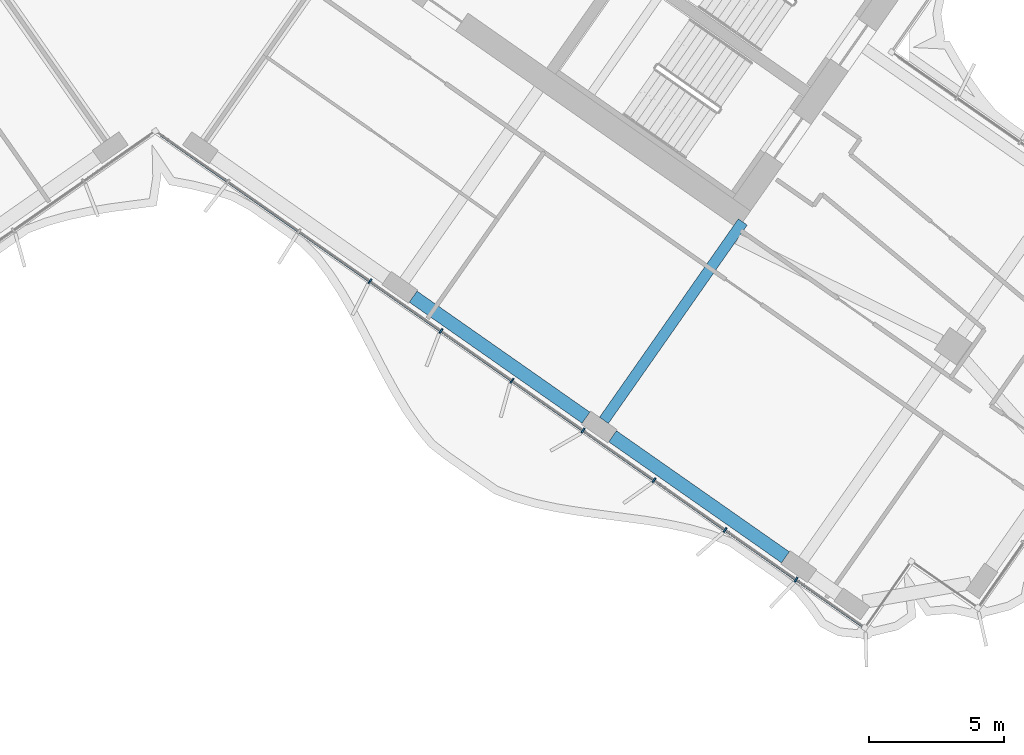
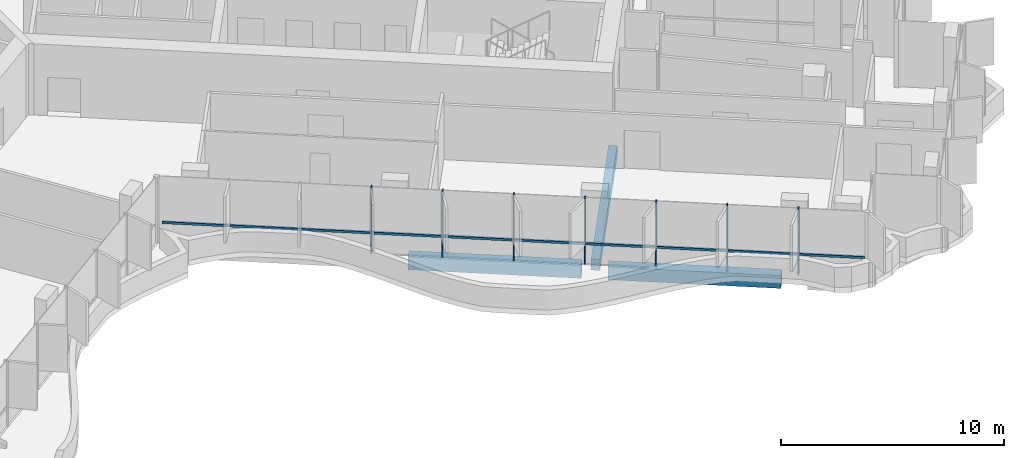
# One storey, part 5 of 21: 8 members, 3 beams, 1 element without a shape of its own.
"""IFC4 building model written with IfcOpenShell, lengths in metres."""

from ifc_helpers import new_model, si_unit, direction, frame, origin, origin_2d, place, context, subcontext, project, spatial, rectangle, extrude, material, material_profile, profile_set, type_object, element, aggregate, save


model = new_model("IFC4")

# Units and contexts
model_context = context("Model", 3, precision=1e-05, world=origin(), true_north=direction((0.0, 1.0)))
body_context = subcontext(model_context, "Body", "Model", "MODEL_VIEW")
ifc_project = project(units=[si_unit("LENGTHUNIT", "METRE"), si_unit("AREAUNIT", "SQUARE_METRE"), si_unit("VOLUMEUNIT", "CUBIC_METRE"), si_unit("PLANEANGLEUNIT", "RADIAN"), si_unit("MASSUNIT", "GRAM", prefix="KILO")], contexts=[model_context])

# Site, building, storey
site_placement = place(None, origin())
site = spatial("IfcSite", under=ifc_project, at=site_placement, CompositionType="ELEMENT")
building_placement = place(site_placement, origin())
building = spatial("IfcBuilding", under=site, at=building_placement, Name="Tel Ilan Convention Tower", CompositionType="ELEMENT")
storey_placement = place(building_placement, frame((0.0, 0.0, 147.60009765625)))
storey = spatial("IfcBuildingStorey", under=building, at=storey_placement, Name="L33", CompositionType="ELEMENT", Elevation=147.60009765625)

# Beams
ifc_material_1 = material(Name="Concrete C40/50", Category="concrete")
ifc_material_profile_1 = material_profile(ifc_material_1, rectangle(XDim=0.39990234375, YDim=0.60009765625, at=origin_2d()), Name="RC 400x600")
ifc_profile_set_1 = profile_set([ifc_material_profile_1], Name="Concrete C40/50")
beam_type_1 = type_object("IfcBeamType", Name="Beam RC 400x600 Concrete C40/50", PredefinedType="BEAM", material=ifc_profile_set_1)
beam_placement = place(storey_placement, frame((16.58203125, -23.391357421875, -0.580078125), z_axis=(0.573584999642, 0.819146048141, 0.0), x_axis=(-0.819146048141, 0.573584999642, 0.0)))
element("IfcBeam", 1, at=beam_placement, inside=storey, type_object=beam_type_1, Name="L33 beam E-E-F3-core", PredefinedType="BEAM", context=body_context, shape_type="SweptSolid", body=[
    extrude(rectangle(XDim=0.39990234375, YDim=0.60009765625, at=origin_2d()), origin(), (0.0, 0.0, 1.0), 8.949951171875),
])
ifc_material_2 = material(Name="Concrete C40/50", Category="concrete")
ifc_material_profile_2 = material_profile(ifc_material_2, rectangle(XDim=0.5, YDim=0.699951171875, at=origin_2d()), Name="RC 500x700")
ifc_profile_set_2 = profile_set([ifc_material_profile_2], Name="Concrete C40/50")
beam_type_2 = type_object("IfcBeamType", Name="Beam RC 500x700 Concrete C40/50", PredefinedType="BEAM", material=ifc_profile_set_2)
for number, where, z_axis, x_axis, name in (
    (2, (9.529052734375, -18.819091796875, -0.630126953125), (0.819153977895, -0.573573674866, 0.0), (0.573573674866, 0.819153977895, 0.0), "L33 beam E-E-F2-E-F3"),
    (3, (16.901611328125, -23.981201171875, -0.630126953125), (0.819153977895, -0.573573674866, 0.0), (0.573573674866, 0.819153977895, 0.0), "L33 beam E-E-F3-E-F4"),
):
    element("IfcBeam", number, at=place(storey_placement, frame(where, z_axis=z_axis, x_axis=x_axis)), inside=storey, type_object=beam_type_2, Name=name, PredefinedType="BEAM", context=body_context, shape_type="SweptSolid", body=[
        extrude(rectangle(XDim=0.5, YDim=0.699951171875, at=origin_2d()), origin(), (0.0, 0.0, 1.0), 7.800048828125),
    ])

# Curtain wall, members
ifc_material_3 = material(Name="Aluminium, bronze anodised", Category="aluminium")
curtain_wall_type = type_object("IfcCurtainWallType", Name="CW4 STICK CURTAIN WALL, OFFICE TINTED GLASS", PredefinedType="NOTDEFINED", material=ifc_material_3)
curtain_wall_placement = place(storey_placement, origin())
curtain_wall = element("IfcCurtainWall", 4, at=curtain_wall_placement, inside=storey, type_object=curtain_wall_type, Name="Curtain wall CW4-27.02", PredefinedType="NOTDEFINED")
ifc_material_4 = material(Name="Aluminium, bronze anodised", Category="aluminium")
ifc_material_profile_3 = material_profile(ifc_material_4, rectangle(XDim=0.06005859375, YDim=0.199951171875, at=origin_2d()), Name="CW MULLION 60x200")
ifc_profile_set_3 = profile_set([ifc_material_profile_3], Name="Aluminium, bronze anodised")
member_type_1 = type_object("IfcMemberType", Name="CW MULLION 60x200", PredefinedType="MULLION", material=ifc_profile_set_3)
member_1_placement = place(storey_placement, frame((7.932861328125, -18.250732421875, 0.0), z_axis=(0.0, 0.0, 1.0), x_axis=(0.819152044289, -0.573576436351, 0.0)))
member_1 = element("IfcMember", 5, at=member_1_placement, type_object=member_type_1, Name="Mullion", PredefinedType="MULLION", context=body_context, shape_type="SweptSolid", body=[
    extrude(rectangle(XDim=0.06005859375, YDim=0.199951171875, at=origin_2d()), origin(), (0.0, 0.0, 1.0), 3.619873046875),
])
member_2_placement = place(storey_placement, frame((10.55810546875, -20.0888671875, 0.0), z_axis=(0.0, 0.0, 1.0), x_axis=(0.819152044289, -0.573576436351, 0.0)))
member_2 = element("IfcMember", 6, at=member_2_placement, type_object=member_type_1, Name="Mullion", PredefinedType="MULLION", context=body_context, shape_type="SweptSolid", body=[
    extrude(rectangle(XDim=0.06005859375, YDim=0.199951171875, at=origin_2d()), origin(), (0.0, 0.0, 1.0), 3.619873046875),
])
member_3_placement = place(storey_placement, frame((13.183349609375, -21.92724609375, 0.0), z_axis=(0.0, 0.0, 1.0), x_axis=(0.819152044289, -0.573576436351, 0.0)))
member_3 = element("IfcMember", 7, at=member_3_placement, type_object=member_type_1, Name="Mullion", PredefinedType="MULLION", context=body_context, shape_type="SweptSolid", body=[
    extrude(rectangle(XDim=0.06005859375, YDim=0.199951171875, at=origin_2d()), origin(), (0.0, 0.0, 1.0), 3.619873046875),
])
member_4_placement = place(storey_placement, frame((15.80859375, -23.765380859375, 0.0), z_axis=(0.0, 0.0, 1.0), x_axis=(0.819152044289, -0.573576436351, 0.0)))
member_4 = element("IfcMember", 8, at=member_4_placement, type_object=member_type_1, Name="Mullion", PredefinedType="MULLION", context=body_context, shape_type="SweptSolid", body=[
    extrude(rectangle(XDim=0.06005859375, YDim=0.199951171875, at=origin_2d()), origin(), (0.0, 0.0, 1.0), 3.619873046875),
])
member_5_placement = place(storey_placement, frame((18.433837890625, -25.603515625, 0.0), z_axis=(0.0, 0.0, 1.0), x_axis=(0.819152044289, -0.573576436351, 0.0)))
member_5 = element("IfcMember", 9, at=member_5_placement, type_object=member_type_1, Name="Mullion", PredefinedType="MULLION", context=body_context, shape_type="SweptSolid", body=[
    extrude(rectangle(XDim=0.06005859375, YDim=0.199951171875, at=origin_2d()), origin(), (0.0, 0.0, 1.0), 3.619873046875),
])
member_6_placement = place(storey_placement, frame((21.05908203125, -27.441650390625, 0.0), z_axis=(0.0, 0.0, 1.0), x_axis=(0.819152044289, -0.573576436351, 0.0)))
member_6 = element("IfcMember", 10, at=member_6_placement, type_object=member_type_1, Name="Mullion", PredefinedType="MULLION", context=body_context, shape_type="SweptSolid", body=[
    extrude(rectangle(XDim=0.06005859375, YDim=0.199951171875, at=origin_2d()), origin(), (0.0, 0.0, 1.0), 3.619873046875),
])
member_7_placement = place(storey_placement, frame((23.68408203125, -29.27978515625, 0.0), z_axis=(0.0, 0.0, 1.0), x_axis=(0.819152044289, -0.573576436351, 0.0)))
member_7 = element("IfcMember", 11, at=member_7_placement, type_object=member_type_1, Name="Mullion", PredefinedType="MULLION", context=body_context, shape_type="SweptSolid", body=[
    extrude(rectangle(XDim=0.06005859375, YDim=0.199951171875, at=origin_2d()), origin(), (0.0, 0.0, 1.0), 3.619873046875),
])
ifc_material_5 = material(Name="Aluminium, bronze anodised", Category="aluminium")
ifc_material_profile_4 = material_profile(ifc_material_5, rectangle(XDim=0.10009765625, YDim=0.1201171875, at=origin_2d()), Name="CW TRANSOM 100x120")
ifc_profile_set_4 = profile_set([ifc_material_profile_4], Name="Aluminium, bronze anodised")
member_type_2 = type_object("IfcMemberType", Name="CW TRANSOM 100x120", PredefinedType="USERDEFINED", material=ifc_profile_set_4)
member_8_placement = place(storey_placement, frame((0.22119140625, -12.850830078125, 1.099853515625), z_axis=(0.819149281128, -0.573580382534, 0.0), x_axis=(0.573580382534, 0.819149281128, 0.0)))
member_8 = element("IfcMember", 12, at=member_8_placement, type_object=member_type_2, Name="Transom", ObjectType="TRANSOM", PredefinedType="USERDEFINED", context=body_context, shape_type="SweptSolid", body=[
    extrude(rectangle(XDim=0.10009765625, YDim=0.1201171875, at=origin_2d()), origin(), (0.0, 0.0, 1.0), 31.64794921875),
])
aggregate(curtain_wall, [member_1, member_2, member_3, member_4, member_5, member_6, member_7, member_8])

save(model, "model.ifc")
